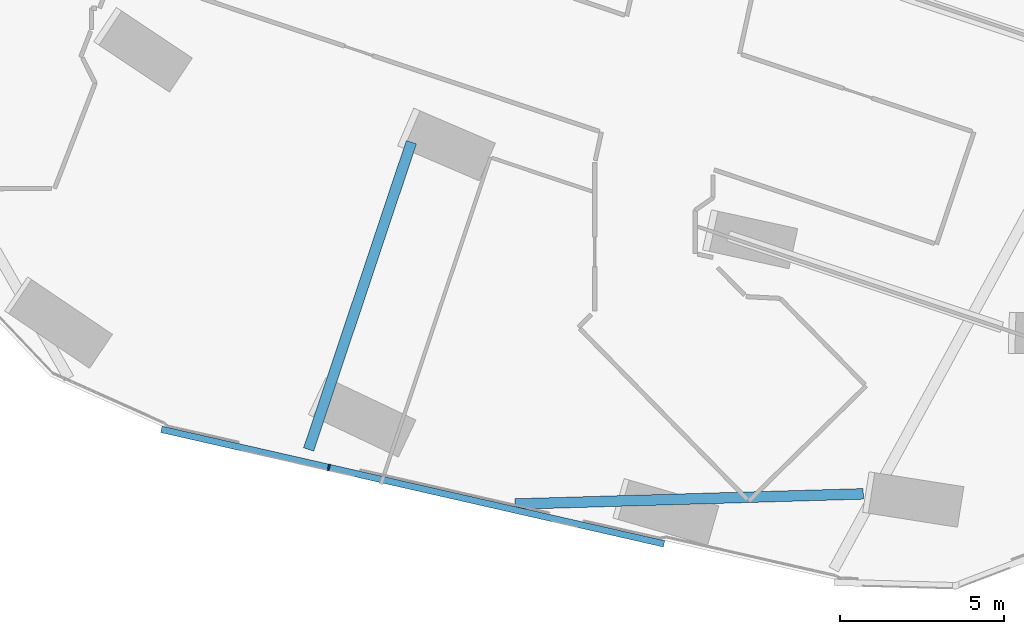
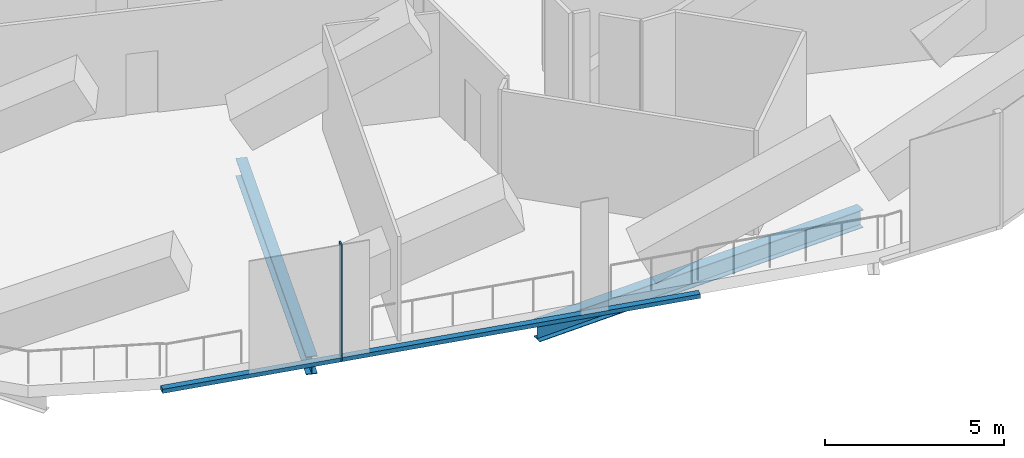
# One storey, part 2 of 28: 2 beams, 2 members, 1 element without a shape of its own.
"""IFC4 building model written with IfcOpenShell, lengths in metres."""

from ifc_helpers import new_model, si_unit, direction, frame, origin, origin_2d, place, context, subcontext, project, spatial, rectangle, i_section, extrude, material, material_profile, profile_set, type_object, element, aggregate, save


model = new_model("IFC4")

# Units and contexts
model_context = context("Model", 3, precision=1e-05, world=origin(), true_north=direction((0.0, 1.0)))
body_context = subcontext(model_context, "Body", "Model", "MODEL_VIEW")
ifc_project = project(units=[si_unit("LENGTHUNIT", "METRE"), si_unit("AREAUNIT", "SQUARE_METRE"), si_unit("VOLUMEUNIT", "CUBIC_METRE"), si_unit("PLANEANGLEUNIT", "RADIAN"), si_unit("MASSUNIT", "GRAM", prefix="KILO")], contexts=[model_context])

# Site, building, storey
site_placement = place(None, origin())
site = spatial("IfcSite", under=ifc_project, at=site_placement, CompositionType="ELEMENT")
building_placement = place(site_placement, origin())
building = spatial("IfcBuilding", under=site, at=building_placement, Name="Orlundy Tower", CompositionType="ELEMENT")
storey_placement = place(building_placement, frame((0.0, 0.0, 163.10009765625)))
storey = spatial("IfcBuildingStorey", under=building, at=storey_placement, Name="L42", CompositionType="ELEMENT", Elevation=163.10009765625)

# Beams
ifc_material_1 = material(Name="Steel ASTM A992 Gr 50", Category="steel")
ifc_material_profile_1 = material_profile(ifc_material_1, i_section(OverallWidth=0.32373046875, OverallDepth=0.611083984375, WebThickness=0.0126953125, FlangeThickness=0.01904296875, at=origin_2d()), Name="W24X104")
ifc_profile_set_1 = profile_set([ifc_material_profile_1], Name="Steel ASTM A992 Gr 50")
beam_type = type_object("IfcBeamType", Name="CANTILEVER GIRDER beam W24X104", PredefinedType="BEAM", material=ifc_profile_set_1)
beam_1_placement = place(storey_placement, frame((-19.19580078125, -57.371337890625, -0.705810546875), z_axis=(0.317258973783, 0.948338939174, 0.0), x_axis=(-0.948338939174, 0.317258973783, 0.0)))
element("IfcBeam", 1, at=beam_1_placement, inside=storey, type_object=beam_type, Name="Cantilever girder C-B3-5 L42", PredefinedType="BEAM", context=body_context, shape_type="SweptSolid", body=[
    extrude(i_section(OverallWidth=0.32373046875, OverallDepth=0.611083984375, WebThickness=0.0126953125, FlangeThickness=0.01904296875, at=origin_2d()), origin(), (0.0, 0.0, 1.0), 9.870849609375),
])
beam_2_placement = place(storey_placement, frame((-12.90283203125, -59.03369140625, -0.705810546875), z_axis=(0.99957227683, 0.029244886604, 0.0), x_axis=(-0.029244886604, 0.99957227683, 0.0)))
element("IfcBeam", 2, at=beam_2_placement, inside=storey, type_object=beam_type, Name="Cantilever girder C-B4-5 L42", PredefinedType="BEAM", context=body_context, shape_type="SweptSolid", body=[
    extrude(i_section(OverallWidth=0.32373046875, OverallDepth=0.611083984375, WebThickness=0.0126953125, FlangeThickness=0.01904296875, at=origin_2d()), origin(), (0.0, 0.0, 1.0), 10.610595703125),
])

# Curtain wall, members
ifc_material_2 = material(Name="Aluminium bronze anodised", Category="aluminium")
curtain_wall_type = type_object("IfcCurtainWallType", Name="CW5 wall", PredefinedType="NOTDEFINED", material=ifc_material_2)
curtain_wall_placement = place(storey_placement, origin())
curtain_wall = element("IfcCurtainWall", 3, at=curtain_wall_placement, inside=storey, type_object=curtain_wall_type, Name="CW5 run 036", PredefinedType="NOTDEFINED")
ifc_material_3 = material(Name="Aluminium bronze anodised", Category="aluminium")
ifc_material_profile_2 = material_profile(ifc_material_3, rectangle(XDim=0.199951171875, YDim=0.050048828125, at=origin_2d()), Name="CW5 mullion 50x200")
ifc_profile_set_2 = profile_set([ifc_material_profile_2], Name="Aluminium bronze anodised")
member_type_1 = type_object("IfcMemberType", Name="CW5 mullion 50x200", PredefinedType="MULLION", material=ifc_profile_set_2)
member_1_placement = place(storey_placement, frame((-18.5791015625, -57.92041015625, -0.400146484375), z_axis=(0.0, 0.0, 1.0), x_axis=(-0.222090335048, -0.975026093537, 0.0)))
member_1 = element("IfcMember", 4, at=member_1_placement, type_object=member_type_1, Name="CW5 mullion 56", PredefinedType="MULLION", context=body_context, shape_type="SweptSolid", body=[
    extrude(rectangle(XDim=0.199951171875, YDim=0.050048828125, at=origin_2d()), origin(), (0.0, 0.0, 1.0), 3.97998046875),
])
ifc_material_4 = material(Name="Aluminium bronze anodised", Category="aluminium")
ifc_material_profile_3 = material_profile(ifc_material_4, rectangle(XDim=0.199951171875, YDim=0.139892578125, at=origin_2d()), Name="CW5 transom 200x140")
ifc_profile_set_3 = profile_set([ifc_material_profile_3], Name="Aluminium bronze anodised")
member_type_2 = type_object("IfcMemberType", Name="CW5 transom 200x140", PredefinedType="USERDEFINED", material=ifc_profile_set_3)
member_2_placement = place(storey_placement, frame((-8.365478515625, -60.2470703125, -0.330078125), z_axis=(-0.975023742688, 0.22210065555, 0.0), x_axis=(-0.22210065555, -0.975023742688, 0.0)))
member_2 = element("IfcMember", 5, at=member_2_placement, type_object=member_type_2, Name="CW5 transom", ObjectType="TRANSOM", PredefinedType="USERDEFINED", context=body_context, shape_type="SweptSolid", body=[
    extrude(rectangle(XDim=0.199951171875, YDim=0.139892578125, at=origin_2d()), origin(), (0.0, 0.0, 1.0), 15.710205078125),
])
aggregate(curtain_wall, [member_1, member_2])

save(model, "model.ifc")
